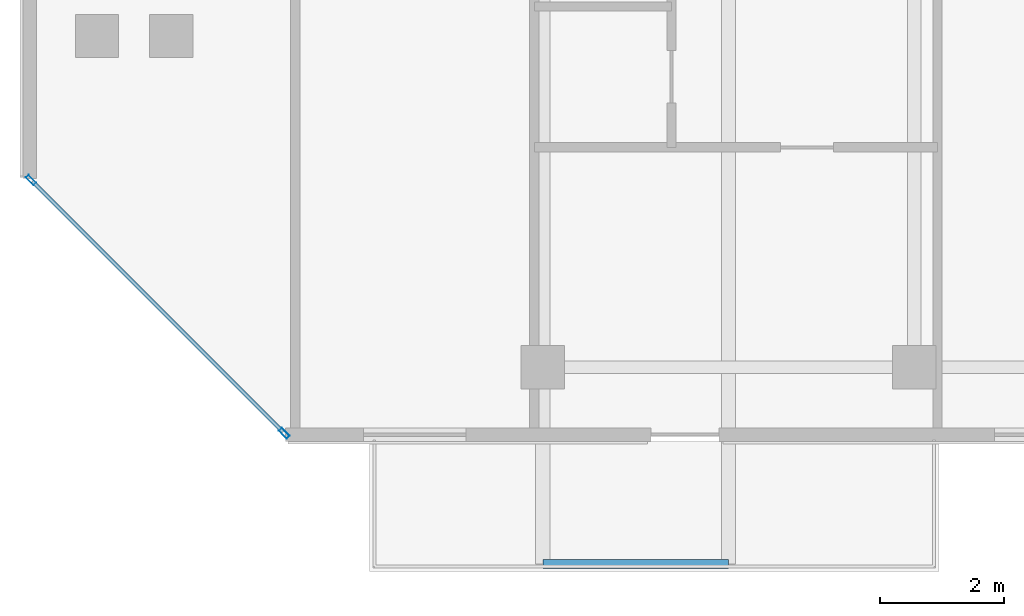
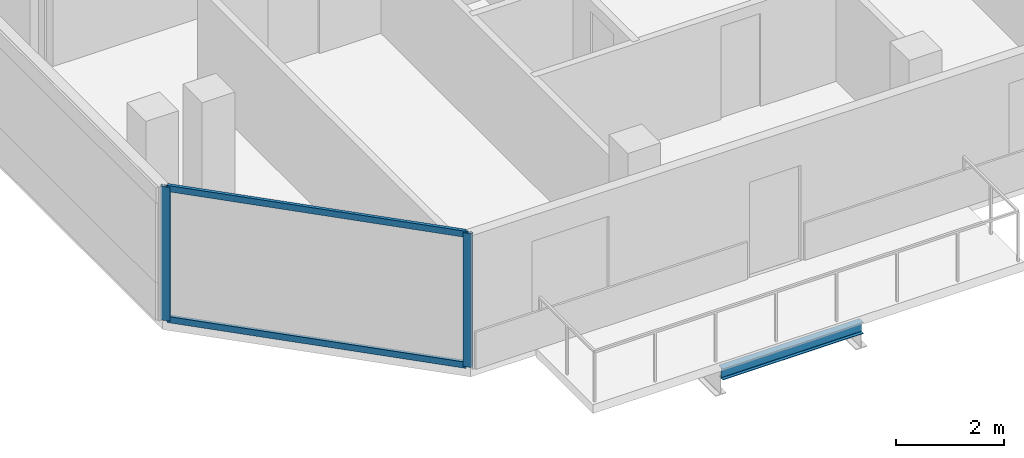
# One storey, part 2 of 24: 4 members, 1 beam, 1 element without a shape of its own.
"""IFC4 building model written with IfcOpenShell, lengths in metres."""

from ifc_helpers import new_model, si_unit, direction, frame, origin, origin_2d, place, context, subcontext, project, spatial, hollow_rectangle, i_section, extrude, material, layer, layer_set, material_profile, profile_set, type_object, element, aggregate, save


model = new_model("IFC4")

# Units and contexts
model_context = context("Model", 3, precision=1e-05, world=origin(), true_north=direction((0.0, 1.0)))
body_context = subcontext(model_context, "Body", "Model", "MODEL_VIEW")
ifc_project = project(units=[si_unit("LENGTHUNIT", "METRE"), si_unit("AREAUNIT", "SQUARE_METRE"), si_unit("VOLUMEUNIT", "CUBIC_METRE"), si_unit("PLANEANGLEUNIT", "RADIAN"), si_unit("MASSUNIT", "GRAM", prefix="KILO")], contexts=[model_context])

# Site, building, storey
site_placement = place(None, origin())
site = spatial("IfcSite", under=ifc_project, at=site_placement, CompositionType="ELEMENT")
building_placement = place(site_placement, origin())
building = spatial("IfcBuilding", under=site, at=building_placement, Name="Tanjung Sevakor Pilgrim Tower", CompositionType="ELEMENT")
storey_placement = place(building_placement, frame((0.0, 0.0, 226.050048828125)))
storey = spatial("IfcBuildingStorey", under=building, at=storey_placement, Name="L63", CompositionType="ELEMENT", Elevation=226.050048828125)

# Beam
ifc_material_1 = material(Name="Steel S355J2", Category="steel")
ifc_material_profile_1 = material_profile(ifc_material_1, i_section(OverallWidth=0.146484375, OverallDepth=0.256103515625, WebThickness=0.00634765625, FlangeThickness=0.010986328125, FilletRadius=0.007568359375, at=origin_2d()))
ifc_profile_set_1 = profile_set([ifc_material_profile_1], Name="Steel S355J2")
beam_type = type_object("IfcBeamType", Name="BM-B-J6-UB_254x146x37", PredefinedType="JOIST", material=ifc_profile_set_1)
beam_placement = place(storey_placement, frame((30.0, 10.070068359375, -0.328125), z_axis=(1.0, 0.0, 0.0), x_axis=(0.0, 1.0, 0.0)))
element("IfcBeam", 1, at=beam_placement, inside=storey, type_object=beam_type, Name="L63 Balcony Rim Tie MAIN-S1", PredefinedType="JOIST", context=body_context, shape_type="SweptSolid", body=[
    extrude(i_section(OverallWidth=0.146484375, OverallDepth=0.256103515625, WebThickness=0.00634765625, FlangeThickness=0.010986328125, FilletRadius=0.007568359375, at=origin_2d()), origin(), (0.0, 0.0, 1.0), 3.0),
])

# Curtain wall, members
ifc_material_2 = material(Name="Aluminium 6063-T6 and Low-E Glass", Category="aluminium")
ifc_layer = layer(ifc_material_2, 0.179931640625)
ifc_layer_set = layer_set([ifc_layer], Name="CW-SYS-CHAM")
curtain_wall_type = type_object("IfcCurtainWallType", Name="CW-SYS-CHAM", PredefinedType="NOTDEFINED", material=ifc_layer_set)
curtain_wall_placement = place(storey_placement, origin())
curtain_wall = element("IfcCurtainWall", 2, at=curtain_wall_placement, inside=storey, type_object=curtain_wall_type, Name="L63 Curtain Wall CW-CHM-L63-MAIN-15", PredefinedType="NOTDEFINED")
ifc_material_3 = material(Name="Aluminium 6063-T6", Category="aluminium")
ifc_material_profile_2 = material_profile(ifc_material_3, hollow_rectangle(XDim=0.06494140625, YDim=0.179931640625, WallThickness=0.00390625, at=origin_2d()))
ifc_profile_set_2 = profile_set([ifc_material_profile_2], Name="Aluminium 6063-T6")
member_type_1 = type_object("IfcMemberType", Name="TYPE-CWM-1", PredefinedType="MULLION", material=ifc_profile_set_2)
member_1_placement = place(storey_placement, frame((21.73291015625, 16.272705078125, 0.0), z_axis=(0.0, 0.0, 1.0), x_axis=(0.707106781187, 0.707106781187, 0.0)))
member_1 = element("IfcMember", 3, at=member_1_placement, type_object=member_type_1, Name="CW-CHM mullion 1", PredefinedType="MULLION", context=body_context, shape_type="SweptSolid", body=[
    extrude(hollow_rectangle(XDim=0.06494140625, YDim=0.179931640625, WallThickness=0.00390625, at=origin_2d()), origin(), (0.0, 0.0, 1.0), 3.02001953125),
])
member_2_placement = place(storey_placement, frame((25.822509765625, 12.182861328125, 0.0), z_axis=(0.0, 0.0, 1.0), x_axis=(0.707106781187, 0.707106781187, 0.0)))
member_2 = element("IfcMember", 4, at=member_2_placement, type_object=member_type_1, Name="CW-CHM mullion 2", PredefinedType="MULLION", context=body_context, shape_type="SweptSolid", body=[
    extrude(hollow_rectangle(XDim=0.06494140625, YDim=0.179931640625, WallThickness=0.00390625, at=origin_2d()), origin(), (0.0, 0.0, 1.0), 3.02001953125),
])
ifc_material_4 = material(Name="Aluminium 6063-T6", Category="aluminium")
ifc_material_profile_3 = material_profile(ifc_material_4, hollow_rectangle(XDim=0.06494140625, YDim=0.139892578125, WallThickness=0.00390625, at=origin_2d()))
ifc_profile_set_3 = profile_set([ifc_material_profile_3], Name="Aluminium 6063-T6")
member_type_2 = type_object("IfcMemberType", Name="TYPE-CWT-1", PredefinedType="USERDEFINED", material=ifc_profile_set_3)
member_3_placement = place(storey_placement, frame((21.755859375, 16.249755859375, 0.032470703125), z_axis=(0.707106781187, -0.707106781187, 0.0), x_axis=(0.707106781187, 0.707106781187, 0.0)))
member_3 = element("IfcMember", 5, at=member_3_placement, type_object=member_type_2, Name="CW-CHM transom 1.1", ObjectType="TRANSOM", PredefinedType="USERDEFINED", context=body_context, shape_type="SweptSolid", body=[
    extrude(hollow_rectangle(XDim=0.06494140625, YDim=0.139892578125, WallThickness=0.00390625, at=origin_2d()), origin(), (0.0, 0.0, 1.0), 5.71875),
])
member_4_placement = place(storey_placement, frame((21.755859375, 16.249755859375, 2.987548828125), z_axis=(0.707106781187, -0.707106781187, 0.0), x_axis=(0.707106781187, 0.707106781187, 0.0)))
member_4 = element("IfcMember", 6, at=member_4_placement, type_object=member_type_2, Name="CW-CHM transom 1.2", ObjectType="TRANSOM", PredefinedType="USERDEFINED", context=body_context, shape_type="SweptSolid", body=[
    extrude(hollow_rectangle(XDim=0.06494140625, YDim=0.139892578125, WallThickness=0.00390625, at=origin_2d()), origin(), (0.0, 0.0, 1.0), 5.71875),
])
aggregate(curtain_wall, [member_1, member_2, member_3, member_4])

save(model, "model.ifc")
